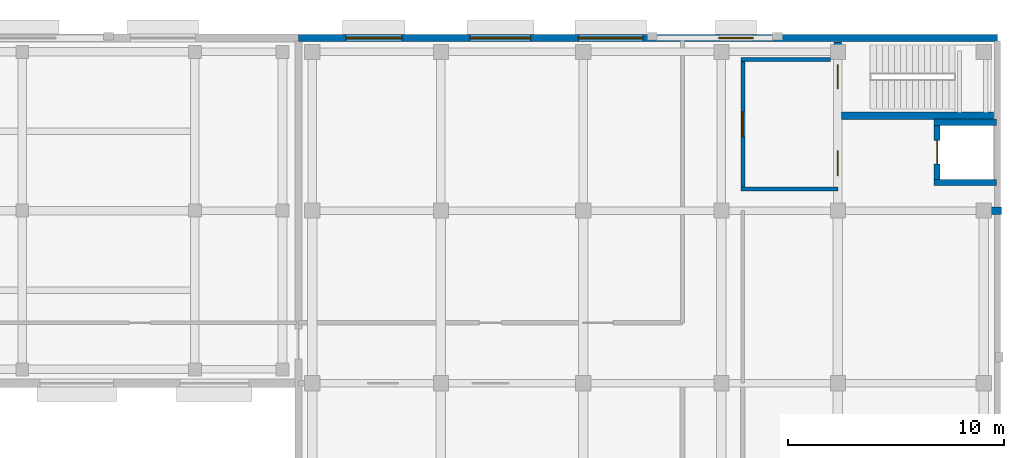
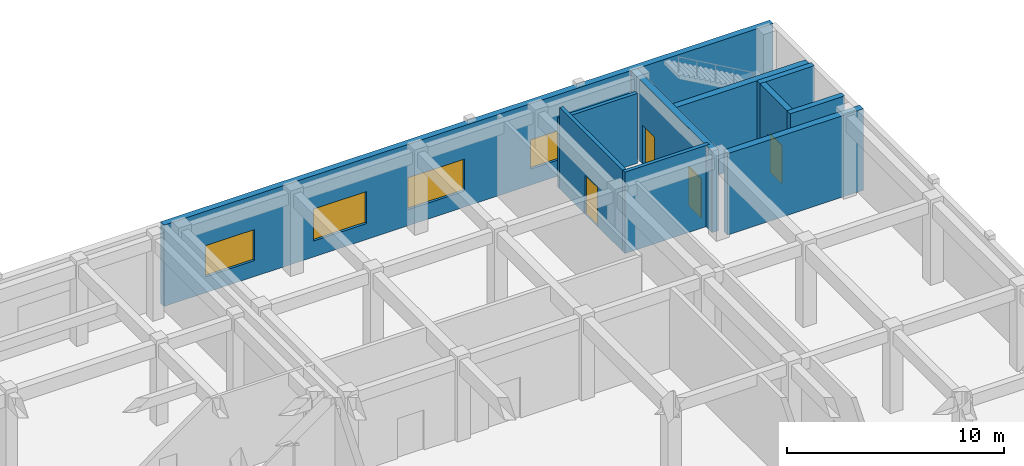
# One storey, part 58 of 76: 10 walls, 4 doors, 4 windows, 8 openings.
"""IFC4 building model written with IfcOpenShell, lengths in metres."""

from ifc_helpers import new_model, si_unit, direction, frame, frame_2d, origin, place, context, subcontext, project, spatial, rectangle, extrude, material, layer, layer_set, type_object, element, fill, save


model = new_model("IFC4")

# Units and contexts
model_context = context("Model", 3, precision=1e-05, world=origin(), true_north=direction((0.0, 1.0)))
body_context = subcontext(model_context, "Body", "Model", "MODEL_VIEW")
ifc_project = project(units=[si_unit("LENGTHUNIT", "METRE"), si_unit("AREAUNIT", "SQUARE_METRE"), si_unit("VOLUMEUNIT", "CUBIC_METRE"), si_unit("PLANEANGLEUNIT", "RADIAN"), si_unit("MASSUNIT", "GRAM", prefix="KILO")], contexts=[model_context])

# Site, building, storey
site_placement = place(None, origin())
site = spatial("IfcSite", under=ifc_project, at=site_placement, CompositionType="ELEMENT")
building_placement = place(site_placement, origin())
building = spatial("IfcBuilding", under=site, at=building_placement, Name="Cinchona Park Media Centre", CompositionType="ELEMENT")
storey_placement = place(building_placement, frame((0.0, 0.0, 15.60009765625)))
storey = spatial("IfcBuildingStorey", under=building, at=storey_placement, Name="L03", CompositionType="ELEMENT", Elevation=15.60009765625)

# Wall
ifc_material_1 = material(Name="Concrete C40/50", Category="concrete")
ifc_layer_1 = layer(ifc_material_1, 0.35009765625)
ifc_layer_set_1 = layer_set([ifc_layer_1], Name="Concrete C40/50")
wall_type_1 = type_object("IfcWallType", Name="WALL-W-CR350", PredefinedType="SHEAR", material=ifc_layer_set_1)
wall_1_placement = place(storey_placement, frame((164.951904296875, 110.0, 0.0), z_axis=(0.0, 0.0, 1.0), x_axis=(1.0, 0.0, 0.0)))
element("IfcWall", 1, at=wall_1_placement, inside=storey, type_object=wall_type_1, Name="Core Shear Wall W-CR350 L03", PredefinedType="SHEAR", context=body_context, shape_type="SweptSolid", body=[
    extrude(rectangle(XDim=7.22314453125, YDim=0.35009765625, at=frame_2d((3.611572265625, 0.0))), origin(), (0.0, 0.0, 1.0), 4.579833984375),
])

# Wall, openings, doors
wall_2_placement = place(storey_placement, frame((164.60009765625, 110.35205078125, 0.0), z_axis=(0.0, 0.0, 1.0), x_axis=(0.0, 1.0, 0.0)))
wall_2 = element("IfcWall", 2, at=wall_2_placement, inside=storey, type_object=wall_type_1, Name="Core Shear Wall W-CR350 L03", PredefinedType="SHEAR", context=body_context, shape_type="SweptSolid", body=[
    extrude(rectangle(XDim=7.472900390625, YDim=0.35009765625, at=frame_2d((3.736328125, 0.0))), origin(), (0.0, 0.0, 1.0), 4.579833984375),
])
opening_1_placement = place(wall_2_placement, frame((5.298095703125, 0.0, 0.0)))
opening_1 = element("IfcOpeningElement", 3, at=opening_1_placement, cuts=wall_2, Name="Opening D093", PredefinedType="OPENING", context=body_context, shape_type="SweptSolid", body=[
    extrude(rectangle(XDim=1.10009765625, YDim=2.14990234375, at=frame_2d((0.550048828125, 1.074951171875))), frame((0.0, 0.18505859375, 0.0), z_axis=(0.0, -1.0, 0.0), x_axis=(1.0, 0.0, 0.0)), (0.0, 0.0, 1.0), 0.3701171875),
])
opening_2_placement = place(wall_2_placement, frame((1.27294921875, 0.0, 0.0)))
opening_2 = element("IfcOpeningElement", 4, at=opening_2_placement, cuts=wall_2, Name="Opening D094", PredefinedType="OPENING", context=body_context, shape_type="SweptSolid", body=[
    extrude(rectangle(XDim=1.14990234375, YDim=2.199951171875, at=frame_2d((0.574951171875, 1.10009765625))), frame((0.0, 0.18505859375, 0.0), z_axis=(0.0, -1.0, 0.0), x_axis=(1.0, 0.0, 0.0)), (0.0, 0.0, 1.0), 0.3701171875),
])
ifc_material_2 = material(Name="Insulated Fire-Rated Steel Door", Category="steel")
door_type_1 = type_object("IfcDoorType", Name="DOOR-DT-FF", OperationType="NOTDEFINED", PredefinedType="DOOR", material=ifc_material_2)
door_1_placement = place(opening_2_placement, origin())
door_1 = element("IfcDoor", 5, at=door_1_placement, inside=storey, type_object=door_type_1, Name="Interior Door D094", OperationType="SINGLE_SWING_RIGHT", OverallHeight=2.199951171875, OverallWidth=1.14990234375, PredefinedType="DOOR", context=body_context, shape_type="SweptSolid", body=[
    extrude(rectangle(XDim=1.14990234375, YDim=2.199951171875, at=frame_2d((0.574951171875, 1.10009765625))), frame((0.0, 0.02490234375, 0.0), z_axis=(0.0, -1.0, 0.0), x_axis=(1.0, 0.0, 0.0)), (0.0, 0.0, 1.0), 0.050048828125),
])
fill(opening_2, door_1)
ifc_material_3 = material(Name="Insulated Fire-Rated Steel Door", Category="steel")
door_type_2 = type_object("IfcDoorType", Name="DOOR-DT-ST", OperationType="NOTDEFINED", PredefinedType="DOOR", material=ifc_material_3)
door_2_placement = place(opening_1_placement, origin())
door_2 = element("IfcDoor", 6, at=door_2_placement, inside=storey, type_object=door_type_2, Name="Interior Door D093", OperationType="SINGLE_SWING_LEFT", OverallHeight=2.14990234375, OverallWidth=1.10009765625, PredefinedType="DOOR", context=body_context, shape_type="SweptSolid", body=[
    extrude(rectangle(XDim=1.10009765625, YDim=2.14990234375, at=frame_2d((0.550048828125, 1.074951171875))), frame((0.0, 0.02490234375, 0.0), z_axis=(0.0, -1.0, 0.0), x_axis=(1.0, 0.0, 0.0)), (0.0, 0.0, 1.0), 0.050048828125),
])
fill(opening_1, door_2)

# Wall
wall_3_placement = place(storey_placement, frame((164.77490234375, 114.39990234375, 0.0), z_axis=(0.0, 0.0, 1.0), x_axis=(1.0, 0.0, 0.0)))
element("IfcWall", 7, at=wall_3_placement, inside=storey, type_object=wall_type_1, Name="Core Shear Wall W-CR350 L03", PredefinedType="SHEAR", context=body_context, shape_type="SweptSolid", body=[
    extrude(rectangle(XDim=7.050048828125, YDim=0.35009765625, at=frame_2d((3.52490234375, 0.0))), origin(), (0.0, 0.0, 1.0), 4.579833984375),
])

# Wall, openings, windows
ifc_material_4 = material(Name="Precast concrete C40/50", Category="concrete")
ifc_layer_2 = layer(ifc_material_4, 0.320068359375)
ifc_layer_set_2 = layer_set([ifc_layer_2], Name="Precast concrete C40/50")
wall_type_2 = type_object("IfcWallType", Name="WALL-W-EX02", PredefinedType="SOLIDWALL", material=ifc_layer_set_2)
wall_4_placement = place(storey_placement, frame((139.60009765625, 118.0, 0.0), z_axis=(0.0, 0.0, 1.0), x_axis=(1.0, 0.0, 0.0)))
wall_4 = element("IfcWall", 8, at=wall_4_placement, inside=storey, type_object=wall_type_2, Name="Exterior Wall W-EX02 V7 L03", PredefinedType="SOLIDWALL", context=body_context, shape_type="SweptSolid", body=[
    extrude(rectangle(XDim=32.39990234375, YDim=0.320068359375, at=frame_2d((16.199951171875, 0.0))), origin(), (0.0, 0.0, 1.0), 4.579833984375),
])
opening_3_placement = place(wall_4_placement, frame((2.199951171875, 0.0, 0.89990234375)))
opening_3 = element("IfcOpeningElement", 9, at=opening_3_placement, cuts=wall_4, Name="Opening WN30", PredefinedType="OPENING", context=body_context, shape_type="SweptSolid", body=[
    extrude(rectangle(XDim=2.60009765625, YDim=1.75, at=frame_2d((1.300048828125, 0.875))), frame((0.0, 0.169921875, 0.0), z_axis=(0.0, -1.0, 0.0), x_axis=(1.0, 0.0, 0.0)), (0.0, 0.0, 1.0), 0.340087890625),
])
opening_4_placement = place(wall_4_placement, frame((7.9599609375, 0.0, 0.89990234375)))
opening_4 = element("IfcOpeningElement", 10, at=opening_4_placement, cuts=wall_4, Name="Opening WN31", PredefinedType="OPENING", context=body_context, shape_type="SweptSolid", body=[
    extrude(rectangle(XDim=2.800048828125, YDim=1.800048828125, at=frame_2d((1.39990234375, 0.89990234375))), frame((0.0, 0.169921875, 0.0), z_axis=(0.0, -1.0, 0.0), x_axis=(1.0, 0.0, 0.0)), (0.0, 0.0, 1.0), 0.340087890625),
])
opening_5_placement = place(wall_4_placement, frame((12.969970703125, 0.0, 0.89990234375)))
opening_5 = element("IfcOpeningElement", 11, at=opening_5_placement, cuts=wall_4, Name="Opening WN32", PredefinedType="OPENING", context=body_context, shape_type="SweptSolid", body=[
    extrude(rectangle(XDim=3.0, YDim=1.800048828125, at=frame_2d((1.5, 0.89990234375))), frame((0.0, 0.169921875, 0.0), z_axis=(0.0, -1.0, 0.0), x_axis=(1.0, 0.0, 0.0)), (0.0, 0.0, 1.0), 0.340087890625),
])
opening_6_placement = place(wall_4_placement, frame((19.47998046875, 0.0, 0.89990234375)))
opening_6 = element("IfcOpeningElement", 12, at=opening_6_placement, cuts=wall_4, Name="Opening WN25", PredefinedType="OPENING", context=body_context, shape_type="SweptSolid", body=[
    extrude(rectangle(XDim=1.60009765625, YDim=1.64990234375, at=frame_2d((0.800048828125, 0.824951171875))), frame((0.0, 0.169921875, 0.0), z_axis=(0.0, -1.0, 0.0), x_axis=(1.0, 0.0, 0.0)), (0.0, 0.0, 1.0), 0.340087890625),
])
ifc_material_5 = material(Name="Thermally Broken Aluminium Solar-Control Window", Category="aluminium")
window_type_1 = type_object("IfcWindowType", Name="WIN-WN25", PartitioningType="SINGLE_PANEL", PredefinedType="WINDOW", material=ifc_material_5)
window_1_placement = place(opening_6_placement, origin())
window_1 = element("IfcWindow", 13, at=window_1_placement, inside=storey, type_object=window_type_1, Name="Window WN25 L03", OverallHeight=1.64990234375, OverallWidth=1.60009765625, PartitioningType="SINGLE_PANEL", PredefinedType="WINDOW", context=body_context, shape_type="SweptSolid", body=[
    extrude(rectangle(XDim=1.60009765625, YDim=1.64990234375, at=frame_2d((0.800048828125, 0.824951171875))), frame((0.0, 0.030029296875, 0.0), z_axis=(0.0, -1.0, 0.0), x_axis=(1.0, 0.0, 0.0)), (0.0, 0.0, 1.0), 0.06005859375),
])
fill(opening_6, window_1)
ifc_material_6 = material(Name="Thermally Broken Aluminium Solar-Control Window", Category="aluminium")
window_type_2 = type_object("IfcWindowType", Name="WIN-WN30", PartitioningType="SINGLE_PANEL", PredefinedType="WINDOW", material=ifc_material_6)
window_2_placement = place(opening_3_placement, origin())
window_2 = element("IfcWindow", 14, at=window_2_placement, inside=storey, type_object=window_type_2, Name="Window WN30 L03", OverallHeight=1.75, OverallWidth=2.60009765625, PartitioningType="SINGLE_PANEL", PredefinedType="WINDOW", context=body_context, shape_type="SweptSolid", body=[
    extrude(rectangle(XDim=2.60009765625, YDim=1.75, at=frame_2d((1.300048828125, 0.875))), frame((0.0, 0.030029296875, 0.0), z_axis=(0.0, -1.0, 0.0), x_axis=(1.0, 0.0, 0.0)), (0.0, 0.0, 1.0), 0.06005859375),
])
fill(opening_3, window_2)
ifc_material_7 = material(Name="Thermally Broken Aluminium Solar-Control Window", Category="aluminium")
window_type_3 = type_object("IfcWindowType", Name="WIN-WN31", PartitioningType="SINGLE_PANEL", PredefinedType="WINDOW", material=ifc_material_7)
window_3_placement = place(opening_4_placement, origin())
window_3 = element("IfcWindow", 15, at=window_3_placement, inside=storey, type_object=window_type_3, Name="Window WN31 L03", OverallHeight=1.800048828125, OverallWidth=2.800048828125, PartitioningType="SINGLE_PANEL", PredefinedType="WINDOW", context=body_context, shape_type="SweptSolid", body=[
    extrude(rectangle(XDim=2.800048828125, YDim=1.800048828125, at=frame_2d((1.39990234375, 0.89990234375))), frame((0.0, 0.030029296875, 0.0), z_axis=(0.0, -1.0, 0.0), x_axis=(1.0, 0.0, 0.0)), (0.0, 0.0, 1.0), 0.06005859375),
])
fill(opening_4, window_3)
ifc_material_8 = material(Name="Thermally Broken Aluminium Solar-Control Window", Category="aluminium")
window_type_4 = type_object("IfcWindowType", Name="WIN-WN32", PartitioningType="SINGLE_PANEL", PredefinedType="WINDOW", material=ifc_material_8)
window_4_placement = place(opening_5_placement, origin())
window_4 = element("IfcWindow", 16, at=window_4_placement, inside=storey, type_object=window_type_4, Name="Window WN32 L03", OverallHeight=1.800048828125, OverallWidth=3.0, PartitioningType="SINGLE_PANEL", PredefinedType="WINDOW", context=body_context, shape_type="SweptSolid", body=[
    extrude(rectangle(XDim=3.0, YDim=1.800048828125, at=frame_2d((1.5, 0.89990234375))), frame((0.0, 0.030029296875, 0.0), z_axis=(0.0, -1.0, 0.0), x_axis=(1.0, 0.0, 0.0)), (0.0, 0.0, 1.0), 0.06005859375),
])
fill(opening_5, window_4)

# Walls
ifc_material_9 = material(Name="Fire-Rated Gypsum Stud Partition", Category="gypsum")
ifc_layer_3 = layer(ifc_material_9, 0.18994140625)
ifc_layer_set_3 = layer_set([ifc_layer_3], Name="Fire-Rated Gypsum Stud Partition")
wall_type_3 = type_object("IfcWallType", Name="WALL-W-PT190", PredefinedType="PARTITIONING", material=ifc_layer_set_3)
wall_5_placement = place(storey_placement, frame((160.10498046875, 111.0, 0.0), z_axis=(0.0, 0.0, 1.0), x_axis=(1.0, 0.0, 0.0)))
element("IfcWall", 17, at=wall_5_placement, inside=storey, type_object=wall_type_3, Name="Interior Wall W-PT190 L03", PredefinedType="PARTITIONING", context=body_context, shape_type="SweptSolid", body=[
    extrude(rectangle(XDim=4.4951171875, YDim=0.18994140625, at=frame_2d((2.24755859375, 0.0))), origin(), (0.0, 0.0, 1.0), 4.579833984375),
])
wall_6_placement = place(storey_placement, frame((160.10498046875, 117.0, 0.0), z_axis=(0.0, 0.0, 1.0), x_axis=(1.0, 0.0, 0.0)))
element("IfcWall", 18, at=wall_6_placement, inside=storey, type_object=wall_type_3, Name="Interior Wall W-PT190 L03", PredefinedType="PARTITIONING", context=body_context, shape_type="SweptSolid", body=[
    extrude(rectangle(XDim=4.14306640625, YDim=0.18994140625, at=frame_2d((2.071533203125, 0.0))), origin(), (0.0, 0.0, 1.0), 3.929931640625),
])

# Wall, opening, door
wall_7_placement = place(storey_placement, frame((160.199951171875, 111.094970703125, 0.0), z_axis=(0.0, 0.0, 1.0), x_axis=(0.0, 1.0, 0.0)))
wall_7 = element("IfcWall", 19, at=wall_7_placement, inside=storey, type_object=wall_type_3, Name="Interior Wall W-PT190 L03", PredefinedType="PARTITIONING", context=body_context, shape_type="SweptSolid", body=[
    extrude(rectangle(XDim=5.81005859375, YDim=0.18994140625, at=frame_2d((2.905029296875, 0.0))), origin(), (0.0, 0.0, 1.0), 4.579833984375),
])
opening_7_placement = place(wall_7_placement, frame((2.330078125, 0.0, 0.0)))
opening_7 = element("IfcOpeningElement", 20, at=opening_7_placement, cuts=wall_7, Name="Opening D095", PredefinedType="OPENING", context=body_context, shape_type="SweptSolid", body=[
    extrude(rectangle(XDim=1.14990234375, YDim=2.199951171875, at=frame_2d((0.574951171875, 1.10009765625))), frame((0.0, 0.10498046875, 0.0), z_axis=(0.0, -1.0, 0.0), x_axis=(1.0, 0.0, 0.0)), (0.0, 0.0, 1.0), 0.2099609375),
])
door_3_placement = place(opening_7_placement, origin())
door_3 = element("IfcDoor", 21, at=door_3_placement, inside=storey, type_object=door_type_1, Name="Interior Door D095", OperationType="SINGLE_SWING_LEFT", OverallHeight=2.199951171875, OverallWidth=1.14990234375, PredefinedType="DOOR", context=body_context, shape_type="SweptSolid", body=[
    extrude(rectangle(XDim=1.14990234375, YDim=2.199951171875, at=frame_2d((0.574951171875, 1.10009765625))), frame((0.0, 0.02490234375, 0.0), z_axis=(0.0, -1.0, 0.0), x_axis=(1.0, 0.0, 0.0)), (0.0, 0.0, 1.0), 0.050048828125),
])
fill(opening_7, door_3)

# Walls
ifc_material_10 = material(Name="Concrete C40/50", Category="concrete")
ifc_layer_4 = layer(ifc_material_10, 0.2900390625)
ifc_layer_set_4 = layer_set([ifc_layer_4], Name="Concrete C40/50")
wall_type_4 = type_object("IfcWallType", Name="WALL-W-SH290", PredefinedType="SHEAR", material=ifc_layer_set_4)
for number, where, z_axis, x_axis, name in (
    (22, (169.054931640625, 111.300048828125, 0.0), (0.0, 0.0, 1.0), (1.0, 0.0, 0.0), "Core Shear Wall W-SH290 L03"),
    (23, (169.054931640625, 114.10009765625, 0.0), (0.0, 0.0, 1.0), (1.0, 0.0, 0.0), "Core Shear Wall W-SH290 L03"),
):
    element("IfcWall", number, at=place(storey_placement, frame(where, z_axis=z_axis, x_axis=x_axis)), inside=storey, type_object=wall_type_4, Name=name, PredefinedType="SHEAR", context=body_context, shape_type="SweptSolid", body=[
        extrude(rectangle(XDim=2.89013671875, YDim=0.2900390625, at=frame_2d((1.445068359375, 0.0))), origin(), (0.0, 0.0, 1.0), 4.579833984375),
    ])

# Wall, opening, door
wall_8_placement = place(storey_placement, frame((169.199951171875, 111.445068359375, 0.0), z_axis=(0.0, 0.0, 1.0), x_axis=(0.0, 1.0, 0.0)))
wall_8 = element("IfcWall", 24, at=wall_8_placement, inside=storey, type_object=wall_type_4, Name="Core Shear Wall W-SH290 L03", PredefinedType="SHEAR", context=body_context, shape_type="SweptSolid", body=[
    extrude(rectangle(XDim=2.510009765625, YDim=0.2900390625, at=frame_2d((1.2548828125, 0.0))), origin(), (0.0, 0.0, 1.0), 4.579833984375),
])
opening_8_placement = place(wall_8_placement, frame((0.705078125, 0.0, 0.0)))
opening_8 = element("IfcOpeningElement", 25, at=opening_8_placement, cuts=wall_8, Name="Opening LD30", PredefinedType="OPENING", context=body_context, shape_type="SweptSolid", body=[
    extrude(rectangle(XDim=1.10009765625, YDim=2.14990234375, at=frame_2d((0.550048828125, 1.074951171875))), frame((0.0, 0.155029296875, 0.0), z_axis=(0.0, -1.0, 0.0), x_axis=(1.0, 0.0, 0.0)), (0.0, 0.0, 1.0), 0.31005859375),
])
ifc_material_11 = material(Name="Stainless Steel Sliding Lift Landing Door", Category="steel")
door_type_3 = type_object("IfcDoorType", Name="DOOR-DT-LD1", OperationType="NOTDEFINED", PredefinedType="DOOR", material=ifc_material_11)
door_4_placement = place(opening_8_placement, origin())
door_4 = element("IfcDoor", 26, at=door_4_placement, inside=storey, type_object=door_type_3, Name="Lift Landing Door LD30", OperationType="SLIDING_TO_LEFT", OverallHeight=2.14990234375, OverallWidth=1.10009765625, PredefinedType="DOOR", context=body_context, shape_type="SweptSolid", body=[
    extrude(rectangle(XDim=1.10009765625, YDim=2.14990234375, at=frame_2d((0.550048828125, 1.074951171875))), frame((0.0, 0.02490234375, 0.0), z_axis=(0.0, -1.0, 0.0), x_axis=(1.0, 0.0, 0.0)), (0.0, 0.0, 1.0), 0.050048828125),
])
fill(opening_8, door_4)

save(model, "model.ifc")
